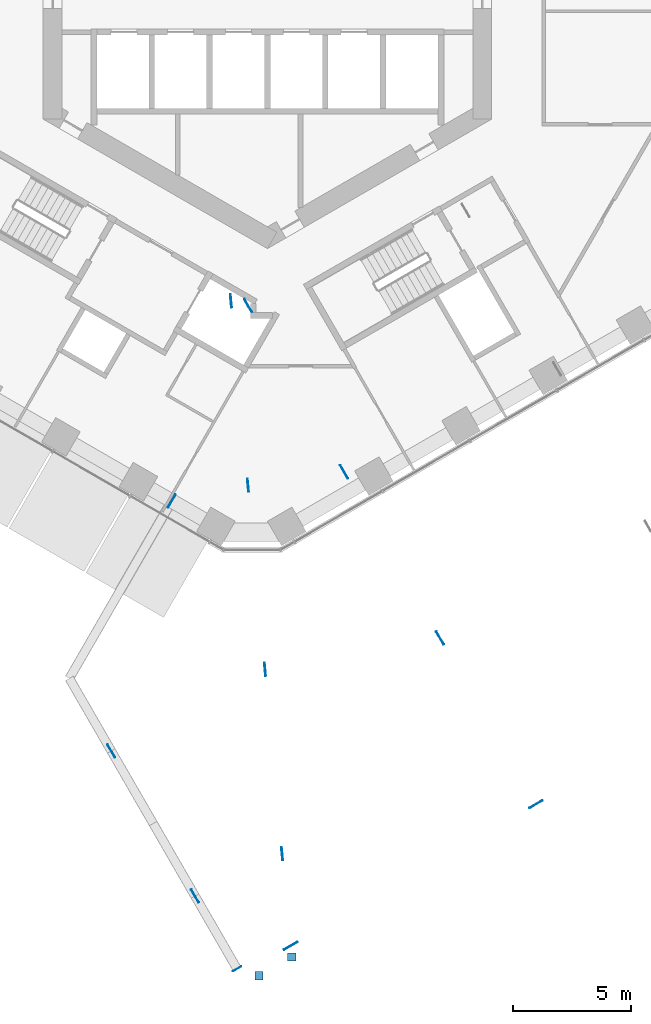
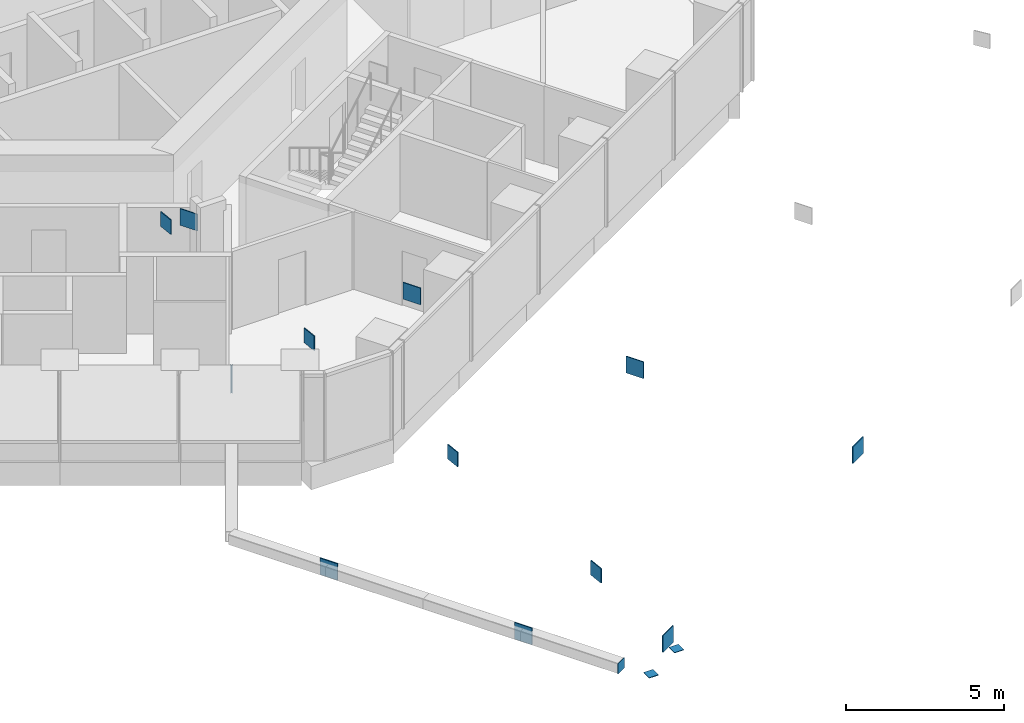
# One storey, part 16 of 22: 15 discrete accessories.
"""IFC4 building model written with IfcOpenShell, lengths in metres."""

from ifc_helpers import new_model, si_unit, direction, frame, origin, origin_2d, place, context, subcontext, project, spatial, rectangle, extrude, material, layer, layer_set, type_object, element, save


model = new_model("IFC4")

# Units and contexts
model_context = context("Model", 3, precision=1e-05, world=origin(), true_north=direction((0.0, 1.0)))
body_context = subcontext(model_context, "Body", "Model", "MODEL_VIEW")
ifc_project = project(units=[si_unit("LENGTHUNIT", "METRE"), si_unit("AREAUNIT", "SQUARE_METRE"), si_unit("VOLUMEUNIT", "CUBIC_METRE"), si_unit("PLANEANGLEUNIT", "RADIAN"), si_unit("MASSUNIT", "GRAM", prefix="KILO")], contexts=[model_context])

# Site, building, storey
site_placement = place(None, origin())
site = spatial("IfcSite", under=ifc_project, at=site_placement, CompositionType="ELEMENT")
building_placement = place(site_placement, origin())
building = spatial("IfcBuilding", under=site, at=building_placement, Name="Ayvan Gate Tower", CompositionType="ELEMENT")
storey_placement = place(building_placement, frame((0.0, 0.0, 62.89990234375)))
storey = spatial("IfcBuildingStorey", under=building, at=storey_placement, Name="L16", CompositionType="ELEMENT", Elevation=62.89990234375)

# Discrete accessories
ifc_material = material(Name="Steel S460ML", Category="steel")
ifc_layer_1 = layer(ifc_material, 0.034912109375)
ifc_layer_set_1 = layer_set([ifc_layer_1], Name="Steel S460ML")
discrete_accessory_type_1 = type_object("IfcDiscreteAccessoryType", Name="Gusset plate 35 mm", PredefinedType="BRACKET", material=ifc_layer_set_1)
for number, where, z_axis, x_axis, name in (
    (1, (0.9853515625, -40.506591796875, 1.97509765625), (0.0, 0.0, 1.0), (0.866025403784, 0.5, 0.0), "Gusset plate EXO-B1-D1A"),
    (2, (11.377685546875, -34.506591796875, 1.97509765625), (0.0, 0.0, 1.0), (0.866025403784, 0.5, 0.0), "Gusset plate EXO-B1-D1B"),
):
    element("IfcDiscreteAccessory", number, at=place(storey_placement, frame(where, z_axis=z_axis, x_axis=x_axis)), inside=storey, type_object=discrete_accessory_type_1, Name=name, PredefinedType="BRACKET", context=body_context, shape_type="SweptSolid", body=[
        extrude(rectangle(XDim=0.650146484375, YDim=0.034912109375, at=origin_2d()), origin(), (0.0, 0.0, 1.0), 0.650146484375),
    ])
for number, where, z_axis, x_axis, name in (
    (3, (-1.542236328125, -13.18505859375, 2.3701171875), (0.0, 0.0, 1.0), (-0.092118593712, 0.995748042776, 0.0), "Gusset plate SBT1-1-D-2"),
    (4, (-0.820068359375, -20.9912109375, 2.3701171875), (0.0, 0.0, 1.0), (-0.092118593712, 0.995748042776, 0.0), "Gusset plate SBT1-1-D-3"),
    (5, (-0.097900390625, -28.79736328125, 2.3701171875), (0.0, 0.0, 1.0), (-0.092118593712, 0.995748042776, 0.0), "Gusset plate SBT1-1-D-5"),
    (6, (0.624267578125, -36.603515625, 2.3701171875), (0.0, 0.0, 1.0), (-0.092118593712, 0.995748042776, 0.0), "Gusset plate SBT1-1-D-7"),
):
    element("IfcDiscreteAccessory", number, at=place(storey_placement, frame(where, z_axis=z_axis, x_axis=x_axis)), inside=storey, type_object=discrete_accessory_type_1, Name=name, PredefinedType="BRACKET", context=body_context, shape_type="SweptSolid", body=[
        extrude(rectangle(XDim=0.56005859375, YDim=0.034912109375, at=origin_2d()), origin(), (0.0, 0.0, 1.0), 0.56005859375),
    ])
for number, where, z_axis, x_axis, name in (
    (7, (-0.817138671875, -13.384521484375, 2.330078125), (0.0, 0.0, 1.0), (-0.5, 0.866025403784, 0.0), "Gusset plate SBT1-2-D-2"),
    (8, (3.247802734375, -20.42529296875, 2.330078125), (0.0, 0.0, 1.0), (-0.5, 0.866025403784, 0.0), "Gusset plate SBT1-2-D-3"),
    (9, (7.312744140625, -27.466064453125, 2.330078125), (0.0, 0.0, 1.0), (-0.5, 0.866025403784, 0.0), "Gusset plate SBT1-2-D-5"),
    (10, (-4.051513671875, -21.660888671875, 2.330078125), (0.0, 0.0, 1.0), (0.5, 0.866025403784, 0.0), "Gusset plate SBX1-B-D-1"),
    (11, (-6.61572265625, -32.251220703125, 2.330078125), (0.0, 0.0, 1.0), (-0.5, 0.866025403784, 0.0), "Gusset plate SBX1-B-D-2"),
    (12, (-3.06591796875, -38.39990234375, 2.330078125), (0.0, 0.0, 1.0), (-0.5, 0.866025403784, 0.0), "Gusset plate SBX1-B-D-4"),
):
    element("IfcDiscreteAccessory", number, at=place(storey_placement, frame(where, z_axis=z_axis, x_axis=x_axis)), inside=storey, type_object=discrete_accessory_type_1, Name=name, PredefinedType="BRACKET", context=body_context, shape_type="SweptSolid", body=[
        extrude(rectangle(XDim=0.639892578125, YDim=0.034912109375, at=origin_2d()), origin(), (0.0, 0.0, 1.0), 0.639892578125),
    ])
ifc_layer_2 = layer(ifc_material, 0.02001953125)
ifc_layer_set_2 = layer_set([ifc_layer_2], Name="Steel S460ML")
discrete_accessory_type_2 = type_object("IfcDiscreteAccessoryType", Name="Sky bar end cap plate", PredefinedType="BRACKET", material=ifc_layer_set_2)
discrete_accessory_placement = place(storey_placement, frame((-1.285888671875, -41.48291015625, 2.4501953125), z_axis=(0.0, 0.0, 1.0), x_axis=(0.5, -0.866025403784, 0.0)))
element("IfcDiscreteAccessory", 13, at=discrete_accessory_placement, inside=storey, type_object=discrete_accessory_type_2, Name="End cap SBX1-B-BC-5:EC", PredefinedType="BRACKET", context=body_context, shape_type="SweptSolid", body=[
    extrude(rectangle(XDim=0.02001953125, YDim=0.39990234375, at=origin_2d()), origin(), (0.0, 0.0, 1.0), 0.39990234375),
])
for number, where, z_axis, x_axis, name in (
    (14, (1.027099609375, -40.97900390625, 2.18017578125), (0.0, 0.0, 1.0), (1.0, 0.0, 0.0), "End cap SBX1-C-P-3:EC0"),
    (15, (-0.3583984375, -41.779052734375, 2.18017578125), (0.0, 0.0, 1.0), (1.0, 0.0, 0.0), "End cap SBX1-C-P-4:EC0"),
):
    element("IfcDiscreteAccessory", number, at=place(storey_placement, frame(where, z_axis=z_axis, x_axis=x_axis)), inside=storey, type_object=discrete_accessory_type_2, Name=name, PredefinedType="BRACKET", context=body_context, shape_type="SweptSolid", body=[
        extrude(rectangle(XDim=0.35009765625, YDim=0.35009765625, at=origin_2d()), origin(), (0.0, 0.0, 1.0), 0.02001953125),
    ])

save(model, "model.ifc")
